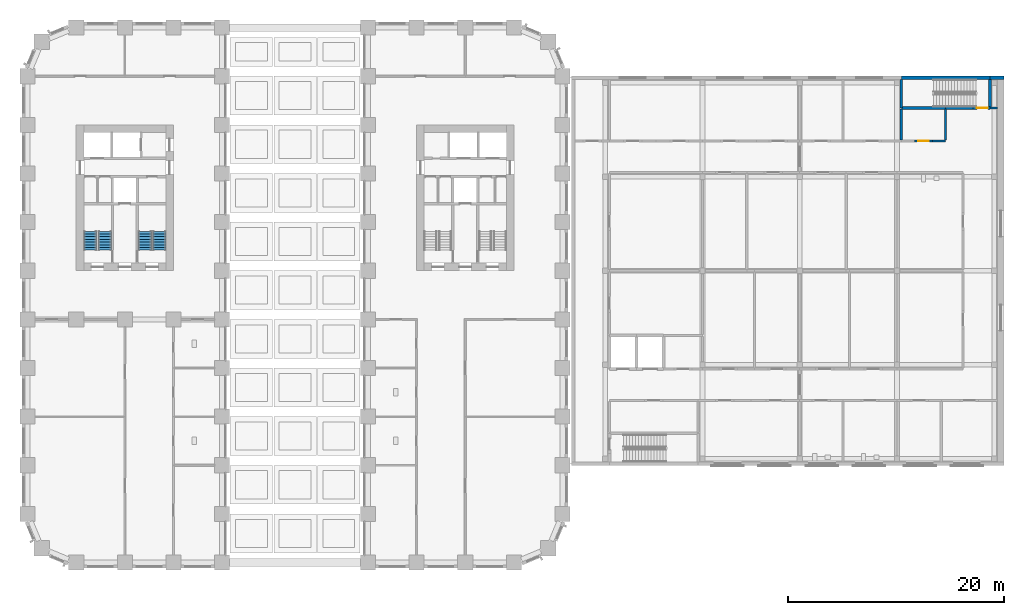
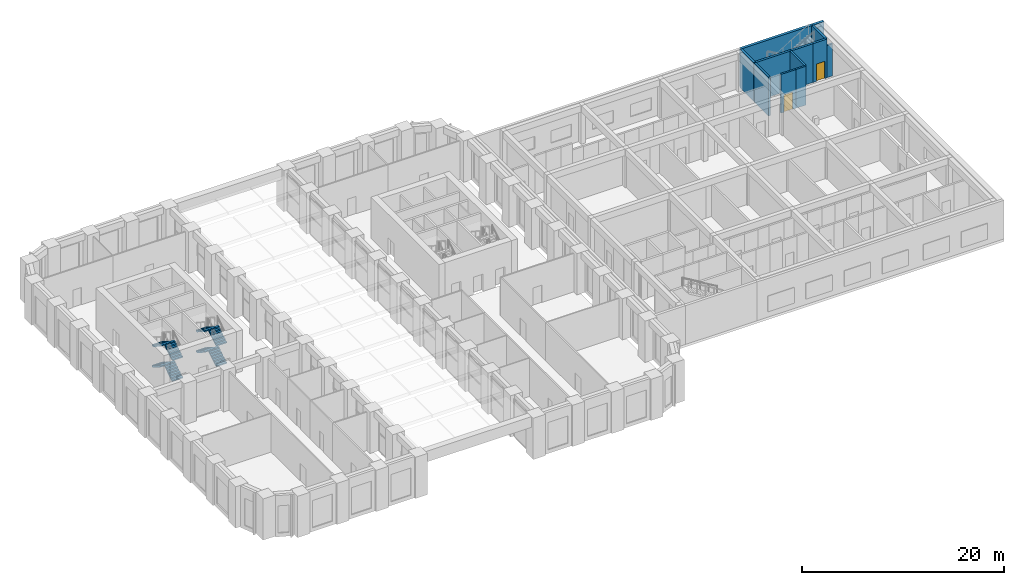
# One storey, part 16 of 24: 12 walls, 8 stair flights, 2 doors, 2 openings, 2 elements without a shape of their own.
"""IFC4 building model written with IfcOpenShell, lengths in metres."""

from ifc_helpers import new_model, si_unit, direction, frame, frame_2d, origin, place, context, subcontext, project, spatial, polyline, rectangle, outline, extrude, material, layer, layer_set, type_object, element, fill, aggregate, save


model = new_model("IFC4")

# Units and contexts
model_context = context("Model", 3, precision=1e-05, world=origin(), true_north=direction((0.0, 1.0)))
body_context = subcontext(model_context, "Body", "Model", "MODEL_VIEW")
ifc_project = project(units=[si_unit("LENGTHUNIT", "METRE"), si_unit("AREAUNIT", "SQUARE_METRE"), si_unit("VOLUMEUNIT", "CUBIC_METRE"), si_unit("PLANEANGLEUNIT", "RADIAN"), si_unit("MASSUNIT", "GRAM", prefix="KILO")], contexts=[model_context])

# Site, building, storey
site_placement = place(None, origin())
site = spatial("IfcSite", under=ifc_project, at=site_placement, CompositionType="ELEMENT")
building_placement = place(site_placement, origin())
building = spatial("IfcBuilding", under=site, at=building_placement, Name="Girih Gate Residences", CompositionType="ELEMENT")
storey_placement = place(building_placement, frame((0.0, 0.0, 16.0)))
storey = spatial("IfcBuildingStorey", under=building, at=storey_placement, Name="L03", CompositionType="ELEMENT", Elevation=16.0)

# Wall, opening, door
ifc_material_1 = material(Name="Fire-rated gypsum partition")
ifc_layer_1 = layer(ifc_material_1, 0.199951171875)
ifc_layer_set_1 = layer_set([ifc_layer_1], Name="HC Corridor wall 200 EI 60")
wall_type_1 = type_object("IfcWallType", Name="HC Corridor wall 200 EI 60", PredefinedType="PARTITIONING", material=ifc_layer_set_1)
wall_1_placement = place(storey_placement, frame((82.050048828125, 39.0, 0.0), z_axis=(0.0, 0.0, 1.0), x_axis=(1.0, 0.0, 0.0)))
wall_1 = element("IfcWall", 1, at=wall_1_placement, inside=storey, type_object=wall_type_1, Name="L03 wall x39.00/82.1", PredefinedType="PARTITIONING", context=body_context, shape_type="SweptSolid", body=[
    extrude(rectangle(XDim=1.699951171875, YDim=0.199951171875, at=frame_2d((0.85009765625, 0.0))), origin(), (0.0, 0.0, 1.0), 4.699951171875),
])
opening_1_placement = place(wall_1_placement, frame((0.35009765625, 0.0, 0.0)))
opening_1 = element("IfcOpeningElement", 2, at=opening_1_placement, cuts=wall_1, Name="Opening HC-L03-D34", PredefinedType="OPENING", context=body_context, shape_type="SweptSolid", body=[
    extrude(rectangle(XDim=1.0, YDim=2.10009765625, at=frame_2d((0.5, 1.050048828125))), frame((0.0, 0.10986328125, 0.0), z_axis=(0.0, -1.0, 0.0), x_axis=(1.0, 0.0, 0.0)), (0.0, 0.0, 1.0), 0.219970703125),
])
ifc_material_2 = material(Name="Timber door set", Category="wood")
door_type_1 = type_object("IfcDoorType", Name="HC Door 1000x2100 FD30S", OperationType="NOTDEFINED", PredefinedType="DOOR", material=ifc_material_2)
door_1_placement = place(opening_1_placement, origin())
door_1 = element("IfcDoor", 3, at=door_1_placement, inside=storey, type_object=door_type_1, Name="L03 Equipment store door", OperationType="SINGLE_SWING_RIGHT", OverallHeight=2.10009765625, OverallWidth=1.0, PredefinedType="DOOR", context=body_context, shape_type="SweptSolid", body=[
    extrude(rectangle(XDim=1.0, YDim=2.10009765625, at=frame_2d((0.5, 1.050048828125))), frame((0.0, 0.02490234375, 0.0), z_axis=(0.0, -1.0, 0.0), x_axis=(1.0, 0.0, 0.0)), (0.0, 0.0, 1.0), 0.050048828125),
])
fill(opening_1, door_1)

# Walls
wall_2_placement = place(storey_placement, frame((83.75, 39.0, 0.0), z_axis=(0.0, 0.0, 1.0), x_axis=(1.0, 0.0, 0.0)))
element("IfcWall", 4, at=wall_2_placement, inside=storey, type_object=wall_type_1, Name="L03 wall x39.00/83.8", PredefinedType="PARTITIONING", context=body_context, shape_type="SweptSolid", body=[
    extrude(rectangle(XDim=1.199951171875, YDim=0.199951171875, at=frame_2d((0.60009765625, 0.0))), origin(), (0.0, 0.0, 1.0), 4.699951171875),
])
wall_3_placement = place(storey_placement, frame((89.050048828125, 42.050048828125, 0.0), z_axis=(0.0, 0.0, 1.0), x_axis=(1.0, 0.0, 0.0)))
element("IfcWall", 5, at=wall_3_placement, inside=storey, type_object=wall_type_1, Name="L03 wall x42.05/89.0", PredefinedType="PARTITIONING", context=body_context, shape_type="SweptSolid", body=[
    extrude(rectangle(XDim=0.699951171875, YDim=0.199951171875, at=frame_2d((0.35009765625, 0.0))), origin(), (0.0, 0.0, 1.0), 3.89990234375),
])
wall_4_placement = place(storey_placement, frame((84.949951171875, 39.10009765625, 0.0), z_axis=(0.0, 0.0, 1.0), x_axis=(0.0, 1.0, 0.0)))
element("IfcWall", 6, at=wall_4_placement, inside=storey, type_object=wall_type_1, Name="L03 wall y84.95/39.1", PredefinedType="PARTITIONING", context=body_context, shape_type="SweptSolid", body=[
    extrude(rectangle(XDim=2.849853515625, YDim=0.199951171875, at=frame_2d((1.4248046875, 0.0))), origin(), (0.0, 0.0, 1.0), 4.699951171875),
])
ifc_material_3 = material(Name="Precast concrete C40/50", Category="concrete")
ifc_layer_2 = layer(ifc_material_3, 0.300048828125)
ifc_layer_set_2 = layer_set([ifc_layer_2], Name="HC Facade wall 300")
wall_type_2 = type_object("IfcWallType", Name="HC Facade wall 300", PredefinedType="SOLIDWALL", material=ifc_layer_set_2)
wall_5_placement = place(storey_placement, frame((89.050048828125, 44.85009765625, 0.0), z_axis=(0.0, 0.0, 1.0), x_axis=(1.0, 0.0, 0.0)))
element("IfcWall", 7, at=wall_5_placement, inside=storey, type_object=wall_type_2, Name="L03 north facade wall", PredefinedType="SOLIDWALL", context=body_context, shape_type="SweptSolid", body=[
    extrude(rectangle(XDim=1.300048828125, YDim=0.300048828125, at=frame_2d((0.64990234375, 0.0))), origin(), (0.0, 0.0, 1.0), 4.699951171875),
])
ifc_material_4 = material(Name="Gypsum partition")
ifc_layer_3 = layer(ifc_material_4, 0.199951171875)
ifc_layer_set_3 = layer_set([ifc_layer_3], Name="HC Room partition 200 EI 30")
wall_type_3 = type_object("IfcWallType", Name="HC Room partition 200 EI 30", PredefinedType="PARTITIONING", material=ifc_layer_set_3)
wall_6_placement = place(storey_placement, frame((80.85009765625, 39.10009765625, 0.0), z_axis=(0.0, 0.0, 1.0), x_axis=(0.0, 1.0, 0.0)))
element("IfcWall", 8, at=wall_6_placement, inside=storey, type_object=wall_type_3, Name="L03 wall y80.85/39.1", PredefinedType="PARTITIONING", context=body_context, shape_type="SweptSolid", body=[
    extrude(rectangle(XDim=2.849853515625, YDim=0.199951171875, at=frame_2d((1.4248046875, 0.0))), origin(), (0.0, 0.0, 1.0), 4.699951171875),
])
ifc_material_5 = material(Name="Concrete C40/50", Category="concrete")
ifc_layer_4 = layer(ifc_material_5, 0.25)
ifc_layer_set_4 = layer_set([ifc_layer_4], Name="HC Shaft wall 250 C40/50")
wall_type_4 = type_object("IfcWallType", Name="HC Shaft wall 250 C40/50", PredefinedType="SHEAR", material=ifc_layer_set_4)
wall_7_placement = place(storey_placement, frame((80.85009765625, 42.050048828125, 0.0), z_axis=(0.0, 0.0, 1.0), x_axis=(1.0, 0.0, 0.0)))
element("IfcWall", 9, at=wall_7_placement, inside=storey, type_object=wall_type_4, Name="L03 wall x42.05/80.8", PredefinedType="SHEAR", context=body_context, shape_type="SweptSolid", body=[
    extrude(rectangle(XDim=4.099853515625, YDim=0.25, at=frame_2d((2.0498046875, 0.0))), origin(), (0.0, 0.0, 1.0), 4.699951171875),
])
wall_8_placement = place(storey_placement, frame((84.949951171875, 42.050048828125, 0.0), z_axis=(0.0, 0.0, 1.0), x_axis=(1.0, 0.0, 0.0)))
element("IfcWall", 10, at=wall_8_placement, inside=storey, type_object=wall_type_4, Name="L03 wall x42.05/85.0", PredefinedType="SHEAR", context=body_context, shape_type="SweptSolid", body=[
    extrude(rectangle(XDim=2.550048828125, YDim=0.25, at=frame_2d((1.27490234375, 0.0))), origin(), (0.0, 0.0, 1.0), 4.699951171875),
])

# Wall, opening, door
wall_9_placement = place(storey_placement, frame((89.050048828125, 42.050048828125, 0.0), z_axis=(0.0, 0.0, 1.0), x_axis=(-1.0, 0.0, 0.0)))
wall_9 = element("IfcWall", 11, at=wall_9_placement, inside=storey, type_object=wall_type_4, Name="L03 wall x42.05/87.5", PredefinedType="SHEAR", context=body_context, shape_type="SweptSolid", body=[
    extrude(rectangle(XDim=1.550048828125, YDim=0.25, at=frame_2d((0.77490234375, 0.0))), origin(), (0.0, 0.0, 1.0), 4.699951171875),
])
opening_2_placement = place(wall_9_placement, frame((0.199951171875, 0.0, 0.0)))
opening_2 = element("IfcOpeningElement", 12, at=opening_2_placement, cuts=wall_9, Name="Opening HC-L03-D02", PredefinedType="OPENING", context=body_context, shape_type="SweptSolid", body=[
    extrude(rectangle(XDim=1.0, YDim=2.10009765625, at=frame_2d((0.5, 1.050048828125))), frame((0.0, 0.135009765625, 0.0), z_axis=(0.0, -1.0, 0.0), x_axis=(1.0, 0.0, 0.0)), (0.0, 0.0, 1.0), 0.27001953125),
])
ifc_material_6 = material(Name="Steel door set", Category="steel")
door_type_2 = type_object("IfcDoorType", Name="HC Stair door 1000x2100 FD60", OperationType="NOTDEFINED", PredefinedType="DOOR", material=ifc_material_6)
door_2_placement = place(opening_2_placement, origin())
door_2 = element("IfcDoor", 13, at=door_2_placement, inside=storey, type_object=door_type_2, Name="L03 Stair B door", OperationType="SINGLE_SWING_LEFT", OverallHeight=2.10009765625, OverallWidth=1.0, PredefinedType="DOOR", context=body_context, shape_type="SweptSolid", body=[
    extrude(rectangle(XDim=1.0, YDim=2.10009765625, at=frame_2d((0.5, 1.050048828125))), frame((0.0, 0.02490234375, 0.0), z_axis=(0.0, -1.0, 0.0), x_axis=(1.0, 0.0, 0.0)), (0.0, 0.0, 1.0), 0.050048828125),
])
fill(opening_2, door_2)

# Walls
for number, where, z_axis, x_axis, name in (
    (14, (80.85009765625, 42.050048828125, 0.0), (0.0, 0.0, 1.0), (0.0, 1.0, 0.0), "L03 wall y80.85/42.0"),
    (15, (89.050048828125, 42.050048828125, 0.0), (0.0, 0.0, 1.0), (0.0, 1.0, 0.0), "L03 wall y89.05/42.0"),
):
    element("IfcWall", number, at=place(storey_placement, frame(where, z_axis=z_axis, x_axis=x_axis)), inside=storey, type_object=wall_type_4, Name=name, PredefinedType="SHEAR", context=body_context, shape_type="SweptSolid", body=[
        extrude(rectangle(XDim=2.64990234375, YDim=0.25, at=frame_2d((1.324951171875, 0.0))), origin(), (0.0, 0.0, 1.0), 4.699951171875),
    ])
ifc_layer_5 = layer(ifc_material_3, 0.300048828125)
ifc_layer_set_5 = layer_set([ifc_layer_5], Name="HC Stair shaft facade wall 300")
wall_type_5 = type_object("IfcWallType", Name="HC Stair shaft facade wall 300", PredefinedType="SHEAR", material=ifc_layer_set_5)
wall_10_placement = place(storey_placement, frame((80.85009765625, 44.85009765625, 0.0), z_axis=(0.0, 0.0, 1.0), x_axis=(1.0, 0.0, 0.0)))
element("IfcWall", 16, at=wall_10_placement, inside=storey, type_object=wall_type_5, Name="L03 north facade wall over stair B", PredefinedType="SHEAR", context=body_context, shape_type="SweptSolid", body=[
    extrude(rectangle(XDim=8.199951171875, YDim=0.300048828125, at=frame_2d((4.10009765625, 0.0))), origin(), (0.0, 0.0, 1.0), 4.699951171875),
])

# Stair, stair flights
stair_type = type_object("IfcStairType", Name="Exit stair", PredefinedType="HALF_TURN_STAIR", material=ifc_material_5)
stair_1_placement = place(storey_placement, origin())
stair_1 = element("IfcStair", 17, at=stair_1_placement, inside=storey, type_object=stair_type, Name="L03 Exit Stair ST-W1", PredefinedType="HALF_TURN_STAIR")
stair_flight_type = type_object("IfcStairFlightType", Name="Stair flight 1200", PredefinedType="STRAIGHT", material=ifc_material_5)
stair_flight_1_placement = place(storey_placement, frame((7.14990234375, 28.89990234375, 0.0), z_axis=(0.0, 0.0, 1.0), x_axis=(0.0, 1.0, 0.0)))
stair_flight_1 = element("IfcStairFlight", 18, at=stair_flight_1_placement, type_object=stair_flight_type, Name="ST-W1 flight 1", NumberOfRisers=8, NumberOfTreads=7, PredefinedType="STRAIGHT", RiserHeight=0.15625, TreadLength=0.25, context=body_context, shape_type="SweptSolid", body=[
    extrude(outline(polyline([(0.0, 0.0), (0.0, 0.01123046875), (0.0, 0.022216796875), (0.0, 0.033447265625), (0.0, 0.044677734375), (0.0, 0.055908203125), (0.0, 0.06689453125), (0.0, 0.078125), (0.0, 0.08935546875), (0.0, 0.100341796875), (0.0, 0.111572265625), (0.0, 0.122802734375), (0.0, 0.134033203125), (0.0, 0.14501953125), (0.0, 0.15625), (0.25, 0.15625), (0.25, 0.3125), (0.5, 0.3125), (0.5, 0.46875), (0.75, 0.46875), (0.75, 0.625), (1.0, 0.625), (1.0, 0.78125), (1.25, 0.78125), (1.25, 0.9375), (1.5, 0.9375), (1.5, 1.09375), (1.75, 1.09375), (1.75, 1.10498046875), (1.75, 1.115966796875), (1.75, 1.127197265625), (1.75, 1.138427734375), (1.75, 1.149658203125), (1.75, 1.16064453125), (1.75, 1.171875), (1.75, 1.18310546875), (1.75, 1.194091796875), (1.75, 1.205322265625), (1.75, 1.216552734375), (1.75, 1.227783203125), (1.75, 1.23876953125), (1.75, 1.25), (1.75, 1.228759765625), (1.75, 1.20751953125), (1.75, 1.186279296875), (1.75, 1.164794921875), (1.75, 1.1435546875), (1.75, 1.122314453125), (1.75, 1.10107421875), (1.75, 1.079833984375), (1.75, 1.05859375), (1.75, 1.037109375), (1.75, 1.015869140625), (1.75, 0.99462890625), (1.75, 0.973388671875), (1.75, 0.9521484375), (0.2265625, 0.0), (0.0, 0.0)])), frame((0.0, 0.60009765625, 0.0), z_axis=(0.0, -1.0, 0.0), x_axis=(1.0, 0.0, 0.0)), (0.0, 0.0, 1.0), 1.199951171875),
])
stair_flight_2_placement = place(storey_placement, frame((5.800048828125, 30.64990234375, 1.25), z_axis=(0.0, 0.0, 1.0), x_axis=(0.0, -1.0, 0.0)))
stair_flight_2 = element("IfcStairFlight", 19, at=stair_flight_2_placement, type_object=stair_flight_type, Name="ST-W1 flight 2", NumberOfRisers=8, NumberOfTreads=7, PredefinedType="STRAIGHT", RiserHeight=0.15625, TreadLength=0.25, context=body_context, shape_type="SweptSolid", body=[
    extrude(outline(polyline([(0.0, 0.0), (0.0, 0.01123046875), (0.0, 0.022216796875), (0.0, 0.033447265625), (0.0, 0.044677734375), (0.0, 0.055908203125), (0.0, 0.06689453125), (0.0, 0.078125), (0.0, 0.08935546875), (0.0, 0.100341796875), (0.0, 0.111572265625), (0.0, 0.122802734375), (0.0, 0.134033203125), (0.0, 0.14501953125), (0.0, 0.15625), (0.25, 0.15625), (0.25, 0.3125), (0.5, 0.3125), (0.5, 0.46875), (0.75, 0.46875), (0.75, 0.625), (1.0, 0.625), (1.0, 0.78125), (1.25, 0.78125), (1.25, 0.9375), (1.5, 0.9375), (1.5, 1.09375), (1.75, 1.09375), (1.75, 1.10498046875), (1.75, 1.115966796875), (1.75, 1.127197265625), (1.75, 1.138427734375), (1.75, 1.149658203125), (1.75, 1.16064453125), (1.75, 1.171875), (1.75, 1.18310546875), (1.75, 1.194091796875), (1.75, 1.205322265625), (1.75, 1.216552734375), (1.75, 1.227783203125), (1.75, 1.23876953125), (1.75, 1.25), (1.75, 1.228759765625), (1.75, 1.20751953125), (1.75, 1.186279296875), (1.75, 1.164794921875), (1.75, 1.1435546875), (1.75, 1.122314453125), (1.75, 1.10107421875), (1.75, 1.079833984375), (1.75, 1.05859375), (1.75, 1.037109375), (1.75, 1.015869140625), (1.75, 0.99462890625), (1.75, 0.973388671875), (1.75, 0.9521484375), (0.2265625, 0.0), (0.0, 0.0)])), frame((0.0, 0.60009765625, 0.0), z_axis=(0.0, -1.0, 0.0), x_axis=(1.0, 0.0, 0.0)), (0.0, 0.0, 1.0), 1.199951171875),
])
stair_flight_3_placement = place(storey_placement, frame((7.14990234375, 28.89990234375, 2.5), z_axis=(0.0, 0.0, 1.0), x_axis=(0.0, 1.0, 0.0)))
stair_flight_3 = element("IfcStairFlight", 20, at=stair_flight_3_placement, type_object=stair_flight_type, Name="ST-W1 flight 3", NumberOfRisers=8, NumberOfTreads=7, PredefinedType="STRAIGHT", RiserHeight=0.15625, TreadLength=0.25, context=body_context, shape_type="SweptSolid", body=[
    extrude(outline(polyline([(0.0, 0.0), (0.0, 0.01123046875), (0.0, 0.022216796875), (0.0, 0.033447265625), (0.0, 0.044677734375), (0.0, 0.055908203125), (0.0, 0.06689453125), (0.0, 0.078125), (0.0, 0.08935546875), (0.0, 0.100341796875), (0.0, 0.111572265625), (0.0, 0.122802734375), (0.0, 0.134033203125), (0.0, 0.14501953125), (0.0, 0.15625), (0.25, 0.15625), (0.25, 0.3125), (0.5, 0.3125), (0.5, 0.46875), (0.75, 0.46875), (0.75, 0.625), (1.0, 0.625), (1.0, 0.78125), (1.25, 0.78125), (1.25, 0.9375), (1.5, 0.9375), (1.5, 1.09375), (1.75, 1.09375), (1.75, 1.10498046875), (1.75, 1.115966796875), (1.75, 1.127197265625), (1.75, 1.138427734375), (1.75, 1.149658203125), (1.75, 1.16064453125), (1.75, 1.171875), (1.75, 1.18310546875), (1.75, 1.194091796875), (1.75, 1.205322265625), (1.75, 1.216552734375), (1.75, 1.227783203125), (1.75, 1.23876953125), (1.75, 1.25), (1.75, 1.228759765625), (1.75, 1.20751953125), (1.75, 1.186279296875), (1.75, 1.164794921875), (1.75, 1.1435546875), (1.75, 1.122314453125), (1.75, 1.10107421875), (1.75, 1.079833984375), (1.75, 1.05859375), (1.75, 1.037109375), (1.75, 1.015869140625), (1.75, 0.99462890625), (1.75, 0.973388671875), (1.75, 0.9521484375), (0.2265625, 0.0), (0.0, 0.0)])), frame((0.0, 0.60009765625, 0.0), z_axis=(0.0, -1.0, 0.0), x_axis=(1.0, 0.0, 0.0)), (0.0, 0.0, 1.0), 1.199951171875),
])
stair_flight_4_placement = place(storey_placement, frame((5.800048828125, 30.64990234375, 3.75), z_axis=(0.0, 0.0, 1.0), x_axis=(0.0, -1.0, 0.0)))
stair_flight_4 = element("IfcStairFlight", 21, at=stair_flight_4_placement, type_object=stair_flight_type, Name="ST-W1 flight 4", NumberOfRisers=8, NumberOfTreads=7, PredefinedType="STRAIGHT", RiserHeight=0.15625, TreadLength=0.25, context=body_context, shape_type="SweptSolid", body=[
    extrude(outline(polyline([(0.0, 0.0), (0.0, 0.01123046875), (0.0, 0.022216796875), (0.0, 0.033447265625), (0.0, 0.044677734375), (0.0, 0.055908203125), (0.0, 0.06689453125), (0.0, 0.078125), (0.0, 0.08935546875), (0.0, 0.100341796875), (0.0, 0.111572265625), (0.0, 0.122802734375), (0.0, 0.134033203125), (0.0, 0.14501953125), (0.0, 0.15625), (0.25, 0.15625), (0.25, 0.3125), (0.5, 0.3125), (0.5, 0.46875), (0.75, 0.46875), (0.75, 0.625), (1.0, 0.625), (1.0, 0.78125), (1.25, 0.78125), (1.25, 0.9375), (1.5, 0.9375), (1.5, 1.09375), (1.75, 1.09375), (1.75, 1.10498046875), (1.75, 1.115966796875), (1.75, 1.127197265625), (1.75, 1.138427734375), (1.75, 1.149658203125), (1.75, 1.16064453125), (1.75, 1.171875), (1.75, 1.18310546875), (1.75, 1.194091796875), (1.75, 1.205322265625), (1.75, 1.216552734375), (1.75, 1.227783203125), (1.75, 1.23876953125), (1.75, 1.25), (1.75, 1.228759765625), (1.75, 1.20751953125), (1.75, 1.186279296875), (1.75, 1.164794921875), (1.75, 1.1435546875), (1.75, 1.122314453125), (1.75, 1.10107421875), (1.75, 1.079833984375), (1.75, 1.05859375), (1.75, 1.037109375), (1.75, 1.015869140625), (1.75, 0.99462890625), (1.75, 0.973388671875), (1.75, 0.9521484375), (0.2265625, 0.0), (0.0, 0.0)])), frame((0.0, 0.60009765625, 0.0), z_axis=(0.0, -1.0, 0.0), x_axis=(1.0, 0.0, 0.0)), (0.0, 0.0, 1.0), 1.199951171875),
])
aggregate(stair_1, [stair_flight_1, stair_flight_2, stair_flight_3, stair_flight_4])

stair_2_placement = place(storey_placement, origin())
stair_2 = element("IfcStair", 22, at=stair_2_placement, inside=storey, type_object=stair_type, Name="L03 Exit Stair ST-W2", PredefinedType="HALF_TURN_STAIR")
stair_flight_5_placement = place(storey_placement, frame((12.199951171875, 28.89990234375, 0.0), z_axis=(0.0, 0.0, 1.0), x_axis=(0.0, 1.0, 0.0)))
stair_flight_5 = element("IfcStairFlight", 23, at=stair_flight_5_placement, type_object=stair_flight_type, Name="ST-W2 flight 1", NumberOfRisers=8, NumberOfTreads=7, PredefinedType="STRAIGHT", RiserHeight=0.15625, TreadLength=0.25, context=body_context, shape_type="SweptSolid", body=[
    extrude(outline(polyline([(0.0, 0.0), (0.0, 0.01123046875), (0.0, 0.022216796875), (0.0, 0.033447265625), (0.0, 0.044677734375), (0.0, 0.055908203125), (0.0, 0.06689453125), (0.0, 0.078125), (0.0, 0.08935546875), (0.0, 0.100341796875), (0.0, 0.111572265625), (0.0, 0.122802734375), (0.0, 0.134033203125), (0.0, 0.14501953125), (0.0, 0.15625), (0.25, 0.15625), (0.25, 0.3125), (0.5, 0.3125), (0.5, 0.46875), (0.75, 0.46875), (0.75, 0.625), (1.0, 0.625), (1.0, 0.78125), (1.25, 0.78125), (1.25, 0.9375), (1.5, 0.9375), (1.5, 1.09375), (1.75, 1.09375), (1.75, 1.10498046875), (1.75, 1.115966796875), (1.75, 1.127197265625), (1.75, 1.138427734375), (1.75, 1.149658203125), (1.75, 1.16064453125), (1.75, 1.171875), (1.75, 1.18310546875), (1.75, 1.194091796875), (1.75, 1.205322265625), (1.75, 1.216552734375), (1.75, 1.227783203125), (1.75, 1.23876953125), (1.75, 1.25), (1.75, 1.228759765625), (1.75, 1.20751953125), (1.75, 1.186279296875), (1.75, 1.164794921875), (1.75, 1.1435546875), (1.75, 1.122314453125), (1.75, 1.10107421875), (1.75, 1.079833984375), (1.75, 1.05859375), (1.75, 1.037109375), (1.75, 1.015869140625), (1.75, 0.99462890625), (1.75, 0.973388671875), (1.75, 0.9521484375), (0.2265625, 0.0), (0.0, 0.0)])), frame((0.0, 0.60009765625, 0.0), z_axis=(0.0, -1.0, 0.0), x_axis=(1.0, 0.0, 0.0)), (0.0, 0.0, 1.0), 1.199951171875),
])
stair_flight_6_placement = place(storey_placement, frame((10.85009765625, 30.64990234375, 1.25), z_axis=(0.0, 0.0, 1.0), x_axis=(0.0, -1.0, 0.0)))
stair_flight_6 = element("IfcStairFlight", 24, at=stair_flight_6_placement, type_object=stair_flight_type, Name="ST-W2 flight 2", NumberOfRisers=8, NumberOfTreads=7, PredefinedType="STRAIGHT", RiserHeight=0.15625, TreadLength=0.25, context=body_context, shape_type="SweptSolid", body=[
    extrude(outline(polyline([(0.0, 0.0), (0.0, 0.01123046875), (0.0, 0.022216796875), (0.0, 0.033447265625), (0.0, 0.044677734375), (0.0, 0.055908203125), (0.0, 0.06689453125), (0.0, 0.078125), (0.0, 0.08935546875), (0.0, 0.100341796875), (0.0, 0.111572265625), (0.0, 0.122802734375), (0.0, 0.134033203125), (0.0, 0.14501953125), (0.0, 0.15625), (0.25, 0.15625), (0.25, 0.3125), (0.5, 0.3125), (0.5, 0.46875), (0.75, 0.46875), (0.75, 0.625), (1.0, 0.625), (1.0, 0.78125), (1.25, 0.78125), (1.25, 0.9375), (1.5, 0.9375), (1.5, 1.09375), (1.75, 1.09375), (1.75, 1.10498046875), (1.75, 1.115966796875), (1.75, 1.127197265625), (1.75, 1.138427734375), (1.75, 1.149658203125), (1.75, 1.16064453125), (1.75, 1.171875), (1.75, 1.18310546875), (1.75, 1.194091796875), (1.75, 1.205322265625), (1.75, 1.216552734375), (1.75, 1.227783203125), (1.75, 1.23876953125), (1.75, 1.25), (1.75, 1.228759765625), (1.75, 1.20751953125), (1.75, 1.186279296875), (1.75, 1.164794921875), (1.75, 1.1435546875), (1.75, 1.122314453125), (1.75, 1.10107421875), (1.75, 1.079833984375), (1.75, 1.05859375), (1.75, 1.037109375), (1.75, 1.015869140625), (1.75, 0.99462890625), (1.75, 0.973388671875), (1.75, 0.9521484375), (0.2265625, 0.0), (0.0, 0.0)])), frame((0.0, 0.60009765625, 0.0), z_axis=(0.0, -1.0, 0.0), x_axis=(1.0, 0.0, 0.0)), (0.0, 0.0, 1.0), 1.199951171875),
])
stair_flight_7_placement = place(storey_placement, frame((12.199951171875, 28.89990234375, 2.5), z_axis=(0.0, 0.0, 1.0), x_axis=(0.0, 1.0, 0.0)))
stair_flight_7 = element("IfcStairFlight", 25, at=stair_flight_7_placement, type_object=stair_flight_type, Name="ST-W2 flight 3", NumberOfRisers=8, NumberOfTreads=7, PredefinedType="STRAIGHT", RiserHeight=0.15625, TreadLength=0.25, context=body_context, shape_type="SweptSolid", body=[
    extrude(outline(polyline([(0.0, 0.0), (0.0, 0.01123046875), (0.0, 0.022216796875), (0.0, 0.033447265625), (0.0, 0.044677734375), (0.0, 0.055908203125), (0.0, 0.06689453125), (0.0, 0.078125), (0.0, 0.08935546875), (0.0, 0.100341796875), (0.0, 0.111572265625), (0.0, 0.122802734375), (0.0, 0.134033203125), (0.0, 0.14501953125), (0.0, 0.15625), (0.25, 0.15625), (0.25, 0.3125), (0.5, 0.3125), (0.5, 0.46875), (0.75, 0.46875), (0.75, 0.625), (1.0, 0.625), (1.0, 0.78125), (1.25, 0.78125), (1.25, 0.9375), (1.5, 0.9375), (1.5, 1.09375), (1.75, 1.09375), (1.75, 1.10498046875), (1.75, 1.115966796875), (1.75, 1.127197265625), (1.75, 1.138427734375), (1.75, 1.149658203125), (1.75, 1.16064453125), (1.75, 1.171875), (1.75, 1.18310546875), (1.75, 1.194091796875), (1.75, 1.205322265625), (1.75, 1.216552734375), (1.75, 1.227783203125), (1.75, 1.23876953125), (1.75, 1.25), (1.75, 1.228759765625), (1.75, 1.20751953125), (1.75, 1.186279296875), (1.75, 1.164794921875), (1.75, 1.1435546875), (1.75, 1.122314453125), (1.75, 1.10107421875), (1.75, 1.079833984375), (1.75, 1.05859375), (1.75, 1.037109375), (1.75, 1.015869140625), (1.75, 0.99462890625), (1.75, 0.973388671875), (1.75, 0.9521484375), (0.2265625, 0.0), (0.0, 0.0)])), frame((0.0, 0.60009765625, 0.0), z_axis=(0.0, -1.0, 0.0), x_axis=(1.0, 0.0, 0.0)), (0.0, 0.0, 1.0), 1.199951171875),
])
stair_flight_8_placement = place(storey_placement, frame((10.85009765625, 30.64990234375, 3.75), z_axis=(0.0, 0.0, 1.0), x_axis=(0.0, -1.0, 0.0)))
stair_flight_8 = element("IfcStairFlight", 26, at=stair_flight_8_placement, type_object=stair_flight_type, Name="ST-W2 flight 4", NumberOfRisers=8, NumberOfTreads=7, PredefinedType="STRAIGHT", RiserHeight=0.15625, TreadLength=0.25, context=body_context, shape_type="SweptSolid", body=[
    extrude(outline(polyline([(0.0, 0.0), (0.0, 0.01123046875), (0.0, 0.022216796875), (0.0, 0.033447265625), (0.0, 0.044677734375), (0.0, 0.055908203125), (0.0, 0.06689453125), (0.0, 0.078125), (0.0, 0.08935546875), (0.0, 0.100341796875), (0.0, 0.111572265625), (0.0, 0.122802734375), (0.0, 0.134033203125), (0.0, 0.14501953125), (0.0, 0.15625), (0.25, 0.15625), (0.25, 0.3125), (0.5, 0.3125), (0.5, 0.46875), (0.75, 0.46875), (0.75, 0.625), (1.0, 0.625), (1.0, 0.78125), (1.25, 0.78125), (1.25, 0.9375), (1.5, 0.9375), (1.5, 1.09375), (1.75, 1.09375), (1.75, 1.10498046875), (1.75, 1.115966796875), (1.75, 1.127197265625), (1.75, 1.138427734375), (1.75, 1.149658203125), (1.75, 1.16064453125), (1.75, 1.171875), (1.75, 1.18310546875), (1.75, 1.194091796875), (1.75, 1.205322265625), (1.75, 1.216552734375), (1.75, 1.227783203125), (1.75, 1.23876953125), (1.75, 1.25), (1.75, 1.228759765625), (1.75, 1.20751953125), (1.75, 1.186279296875), (1.75, 1.164794921875), (1.75, 1.1435546875), (1.75, 1.122314453125), (1.75, 1.10107421875), (1.75, 1.079833984375), (1.75, 1.05859375), (1.75, 1.037109375), (1.75, 1.015869140625), (1.75, 0.99462890625), (1.75, 0.973388671875), (1.75, 0.9521484375), (0.2265625, 0.0), (0.0, 0.0)])), frame((0.0, 0.60009765625, 0.0), z_axis=(0.0, -1.0, 0.0), x_axis=(1.0, 0.0, 0.0)), (0.0, 0.0, 1.0), 1.199951171875),
])
aggregate(stair_2, [stair_flight_5, stair_flight_6, stair_flight_7, stair_flight_8])

save(model, "model.ifc")
